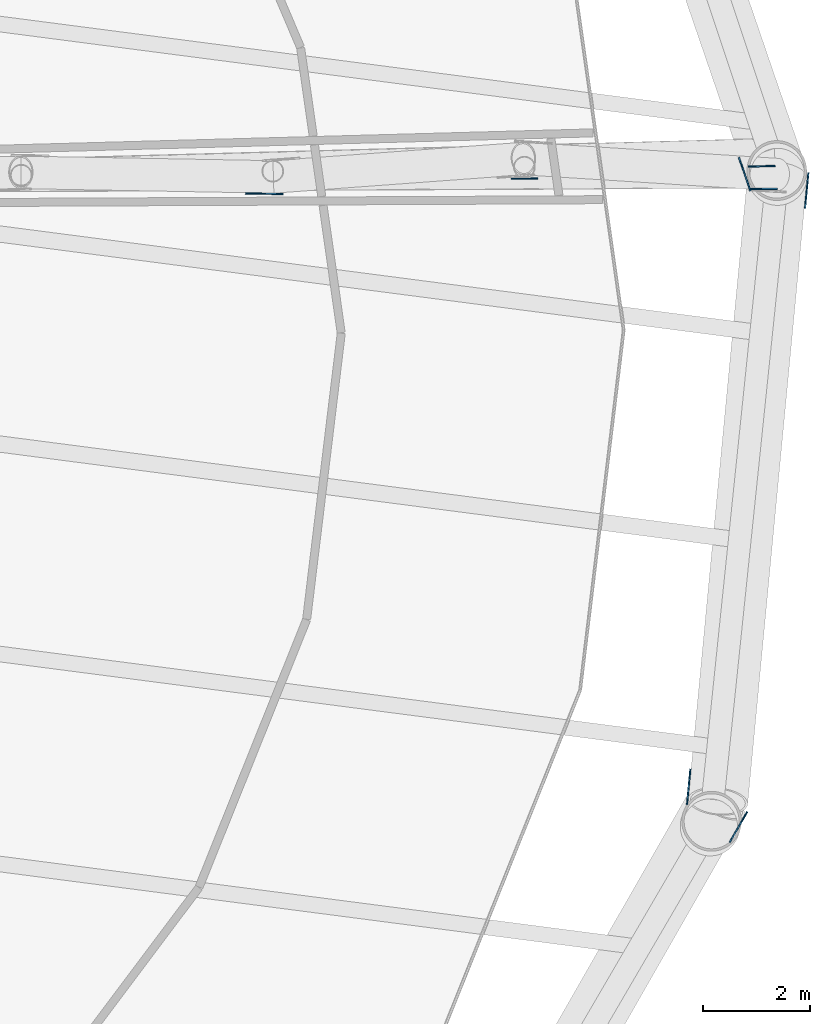
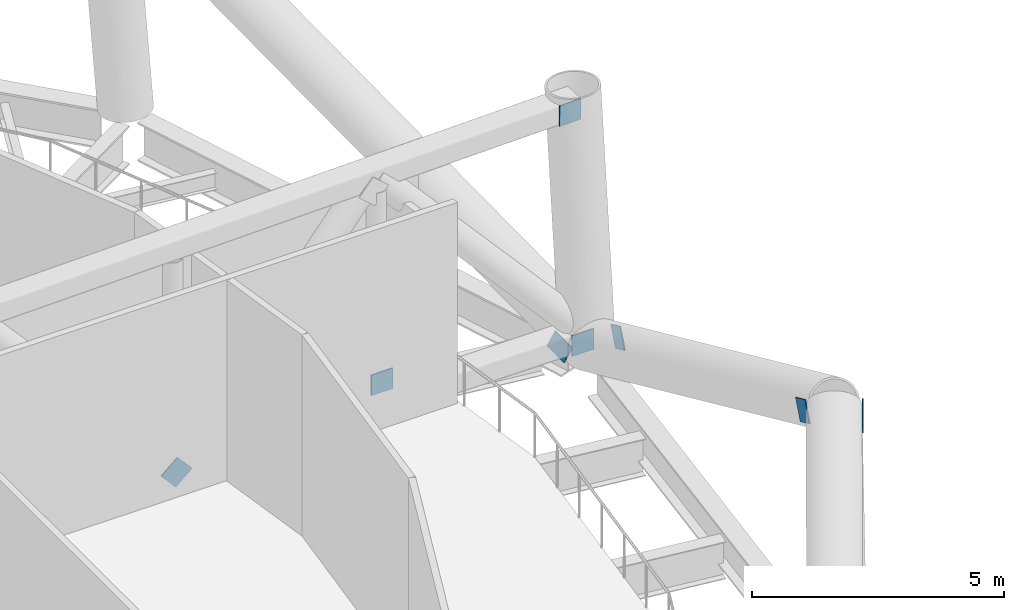
# One storey, part 24 of 36: 8 discrete accessories.
"""IFC4 building model written with IfcOpenShell, lengths in metres."""

import ifcopenshell
import ifcopenshell.guid

model = None  # the IFC model being written
_history = None  # IfcOwnerHistory: only IFC2X3 demands one
_inside = {}  # id of a spatial element -> (the spatial element, [elements in it])
_under = {}  # id of a project, library or spatial element -> (it, [spatial elements below it])
_declared = {}  # id of a project -> (the project, [libraries it declares])
_typed = {}  # id of a type object -> (the type object, [elements of that type])
_made_of = {}  # id of a material, layer set ... -> (it, [elements and type objects made of it])


def new_model(schema):
    """Start an empty IFC model of exactly this schema.

    Asked for "IFC4X3", IfcOpenShell would pick the latest addendum, in which some entities
    have other attributes; the version numbers below select the first issue.
    IFC2X3 requires an IfcOwnerHistory on every rooted entity: one is made here for all.
    """
    global model, _history
    if schema == "IFC4X3":
        model = ifcopenshell.file(schema_version=(4, 3, 0, 0))
    else:
        model = ifcopenshell.file(schema=schema)
    _inside.clear()
    _under.clear()
    _declared.clear()
    _typed.clear()
    _made_of.clear()
    _history = None
    if model.schema == "IFC2X3":
        org = make("IfcOrganization", Name="unknown")
        user = make(
            "IfcPersonAndOrganization",
            ThePerson=make("IfcPerson", FamilyName="unknown"),
            TheOrganization=org,
        )
        app = make(
            "IfcApplication",
            ApplicationDeveloper=org,
            Version="unknown",
            ApplicationFullName="unknown",
            ApplicationIdentifier="unknown",
        )
        _history = make(
            "IfcOwnerHistory",
            OwningUser=user,
            OwningApplication=app,
            ChangeAction="ADDED",
            CreationDate=0,
        )
    return model


def make(cls, **values):
    """One entity of the class cls with the attributes given. An attribute that is None is left unset."""
    return model.create_entity(
        cls, **{name: value for name, value in values.items() if value is not None}
    )


def rooted(cls, **values):
    """An entity with a GlobalId (a new one), such as an element, a storey or a relation."""
    return make(cls, GlobalId=ifcopenshell.guid.new(), OwnerHistory=_history, **values)


def si_unit(unit_type, name, prefix=None):
    """IfcSIUnit, for example si_unit("LENGTHUNIT", "METRE", prefix="MILLI")."""
    return make("IfcSIUnit", UnitType=unit_type, Prefix=prefix, Name=name)


def assignment(units):
    """IfcUnitAssignment: the units of a project."""
    return None if units is None else make("IfcUnitAssignment", Units=units)


def point(xyz):
    """IfcCartesianPoint."""
    return None if xyz is None else make("IfcCartesianPoint", Coordinates=xyz)


def direction(xyz):
    """IfcDirection."""
    return None if xyz is None else make("IfcDirection", DirectionRatios=xyz)


def frame(location, z_axis=None, x_axis=None):
    """IfcAxis2Placement3D, a coordinate frame: its origin and axes. An axis left out is left unset."""
    return make(
        "IfcAxis2Placement3D",
        Location=point(location),
        Axis=direction(z_axis),
        RefDirection=direction(x_axis),
    )


def frame_2d(location, x_axis=None):
    """IfcAxis2Placement2D, a coordinate frame in the plane: its origin and x axis."""
    return make(
        "IfcAxis2Placement2D", Location=point(location), RefDirection=direction(x_axis)
    )


def origin():
    """The frame at (0, 0, 0) with its axes left unset."""
    return frame((0.0, 0.0, 0.0))


def origin_2d():
    """The frame at (0, 0) in the plane with its x axis left unset."""
    return frame_2d((0.0, 0.0))


def place(relative_to, where):
    """IfcLocalPlacement: puts the frame where relative to a parent placement (None: the world)."""
    return make(
        "IfcLocalPlacement", PlacementRelTo=relative_to, RelativePlacement=where
    )


def context(
    kind, dimensions, precision=None, world=None, true_north=None, identifier=None
):
    """IfcGeometricRepresentationContext, for example the 3D "Model" context."""
    return make(
        "IfcGeometricRepresentationContext",
        ContextIdentifier=identifier,
        ContextType=kind,
        CoordinateSpaceDimension=dimensions,
        Precision=precision,
        WorldCoordinateSystem=world,
        TrueNorth=true_north,
    )


def subcontext(parent, identifier, kind, view, scale=None):
    """IfcGeometricRepresentationSubContext, for example "Body" below "Model"."""
    return make(
        "IfcGeometricRepresentationSubContext",
        ContextIdentifier=identifier,
        ContextType=kind,
        ParentContext=parent,
        TargetScale=scale,
        TargetView=view,
    )


def project(units=None, contexts=None):
    """IfcProject with its units and contexts."""
    return rooted(
        "IfcProject",
        Name="project",
        RepresentationContexts=contexts,
        UnitsInContext=assignment(units),
    )


def spatial(cls, under=None, at=None, **own):
    """A site, building, storey or space (cls), placed at a placement, below another one or the project."""
    s = rooted(cls, ObjectPlacement=at, **own)
    if under is not None:
        _under.setdefault(under.id(), (under, []))[1].append(s)
    return s


def profile(cls, at=None, kind="AREA", **sizes):
    """A parametric profile (cls). Its sizes go by their IFC names, for example OverallWidth=200.0."""
    return make(cls, ProfileType=kind, Position=at, **sizes)


def rectangle(**sizes):
    """IfcRectangleProfileDef."""
    return profile("IfcRectangleProfileDef", **sizes)


def extrude(swept, where, along, depth):
    """IfcExtrudedAreaSolid: the profile swept, set in the frame where, extruded along a direction by depth."""
    return make(
        "IfcExtrudedAreaSolid",
        SweptArea=swept,
        Position=where,
        ExtrudedDirection=direction(along),
        Depth=depth,
    )


def shape(context_of_items, identifier, shape_type, items):
    """IfcShapeRepresentation: the items that make up one representation, for example the "Body"."""
    return make(
        "IfcShapeRepresentation",
        ContextOfItems=context_of_items,
        RepresentationIdentifier=identifier,
        RepresentationType=shape_type,
        Items=items,
    )


def material(Name=None, Category=None):
    """IfcMaterial."""
    return make("IfcMaterial", Name=Name, Category=Category)


def material_profile(
    of_material, cross_section, Name=None, Category=None, Priority=None
):
    """IfcMaterialProfile: a cross section and its material."""
    return make(
        "IfcMaterialProfile",
        Name=Name,
        Material=of_material,
        Profile=cross_section,
        Priority=Priority,
        Category=Category,
    )


def profile_set(profiles, Name=None, composite=None):
    """IfcMaterialProfileSet."""
    return make(
        "IfcMaterialProfileSet",
        Name=Name,
        MaterialProfiles=profiles,
        CompositeProfile=composite,
    )


def made_of(thing, what):
    """Note that an element or type object is made of a material, layer set ...; save() writes the relation."""
    if what is not None:
        _made_of.setdefault(what.id(), (what, []))[1].append(thing)
    return thing


def type_object(cls, material=None, **own):
    """A type object (cls), such as IfcWallType, which elements share."""
    return made_of(rooted(cls, **own), material)


def element(
    cls,
    number,
    at=None,
    inside=None,
    cuts=None,
    type_object=None,
    material=None,
    context=None,
    identifier="Body",
    shape_type=None,
    held_by="IfcProductDefinitionShape",
    body=None,
    shapes=None,
    **own,
):
    """One element of the class cls, such as IfcWall. Its Tag is "e" and its number.

    at: its placement. inside: the storey or other place that contains it. cuts: it is an
    opening in that element (IfcRelVoidsElement). A single representation is given by context,
    identifier, shape_type and body (its items); several are given by shapes. held_by: the class
    of the entity that holds the representations. save() writes the other relations.
    """
    e = rooted(cls, Tag="e%d" % number, ObjectPlacement=at, **own)
    if body is not None:
        shapes = [shape(context, identifier, shape_type, body)]
    if shapes is not None:
        e.Representation = make(held_by, Representations=shapes)
    if inside is not None:
        _inside.setdefault(inside.id(), (inside, []))[1].append(e)
    if cuts is not None:
        rooted(
            "IfcRelVoidsElement", RelatingBuildingElement=cuts, RelatedOpeningElement=e
        )
    if type_object is not None:
        _typed.setdefault(type_object.id(), (type_object, []))[1].append(e)
    return made_of(e, material)


def aggregate(whole, parts):
    """IfcRelAggregates: a whole, such as a stair, and the parts it consists of."""
    return rooted("IfcRelAggregates", RelatingObject=whole, RelatedObjects=parts)


def save(model, path):
    """Write the relations noted so far, then the file.

    IfcRelAggregates (storeys below a building ...), IfcRelContainedInSpatialStructure (elements
    in a storey), IfcRelDefinesByType, IfcRelAssociatesMaterial and IfcRelDeclares: one each for
    every whole, place, type object, material and project.
    """
    for whole, parts in _under.values():
        aggregate(whole, parts)
    for where, things in _inside.values():
        rooted(
            "IfcRelContainedInSpatialStructure",
            RelatedElements=things,
            RelatingStructure=where,
        )
    for kind, things in _typed.values():
        rooted("IfcRelDefinesByType", RelatedObjects=things, RelatingType=kind)
    for what, things in _made_of.values():
        rooted("IfcRelAssociatesMaterial", RelatedObjects=things, RelatingMaterial=what)
    for by, libraries in _declared.values():
        rooted("IfcRelDeclares", RelatingContext=by, RelatedDefinitions=libraries)
    model.write(path)


model = new_model("IFC4")

# Units and contexts
model_context = context("Model", 3, precision=1e-05, world=origin(), true_north=direction((0.0, 1.0)))
body_context = subcontext(model_context, "Body", "Model", "MODEL_VIEW")
ifc_project = project(units=[si_unit("LENGTHUNIT", "METRE"), si_unit("AREAUNIT", "SQUARE_METRE"), si_unit("VOLUMEUNIT", "CUBIC_METRE"), si_unit("PLANEANGLEUNIT", "RADIAN"), si_unit("MASSUNIT", "GRAM", prefix="KILO")], contexts=[model_context])

# Site, building, storey
site_placement = place(None, origin())
site = spatial("IfcSite", under=ifc_project, at=site_placement, CompositionType="ELEMENT")
building_placement = place(site_placement, origin())
building = spatial("IfcBuilding", under=site, at=building_placement, Name="Tarsis Ring Headquarters", CompositionType="ELEMENT")
storey_placement = place(building_placement, frame((0.0, 0.0, 194.39990234375)))
storey = spatial("IfcBuildingStorey", under=building, at=storey_placement, Name="L45", CompositionType="ELEMENT", Elevation=194.39990234375)

# Discrete accessories
ifc_material = material(Name="Structural steel S355", Category="steel")
ifc_material_profile = material_profile(ifc_material, rectangle(XDim=0.02490234375, YDim=0.5, at=origin_2d()), Name="PL 25x500")
ifc_profile_set = profile_set([ifc_material_profile], Name="Structural steel S355")
discrete_accessory_type_1 = type_object("IfcDiscreteAccessoryType", Name="Gusset plate Belt truss 25", PredefinedType="BRACKET", material=ifc_profile_set)
for number, where, z_axis, x_axis, name in (
    (1, (28.256591796875, -8.837158203125, 6.0), (-0.449224694284, -0.785166639575, -0.426275171859), (0.867977276355, -0.496603914333, 0.0), "Gusset plate GP4"),
    (2, (29.444091796875, 3.112060546875, 0.0), (-0.084004044922, -0.886926427778, 0.454207917309), (0.995544615201, -0.094291670603, 0.0), "Gusset plate GP4"),
    (3, (27.19189453125, -8.49951171875, 6.0), (0.084452382721, 0.886994100604, -0.453992577634), (-0.99549793464, 0.094783237585, 0.0), "Gusset plate GP4"),
):
    element("IfcDiscreteAccessory", number, at=place(storey_placement, frame(where, z_axis=z_axis, x_axis=x_axis)), inside=storey, type_object=discrete_accessory_type_1, Name=name, PredefinedType="BRACKET", context=body_context, shape_type="SweptSolid", body=[
        extrude(rectangle(XDim=0.02490234375, YDim=0.5, at=origin_2d()), origin(), (0.0, 0.0, 1.0), 0.5),
    ])
discrete_accessory_1_placement = place(storey_placement, frame((28.3349609375, 2.98095703125, 0.0), z_axis=(-0.292878651196, 0.855693792579, 0.426626568576), x_axis=(-0.946116126571, -0.323827539043, 0.0)))
element("IfcDiscreteAccessory", 4, at=discrete_accessory_1_placement, inside=storey, type_object=discrete_accessory_type_1, Name="Gusset plate GP4", PredefinedType="BRACKET", context=body_context, shape_type="SweptSolid", body=[
    extrude(rectangle(XDim=0.02490234375, YDim=0.5, at=origin_2d()), origin(), (0.0, 0.0, 1.0), 0.500244140625),
])
discrete_accessory_type_2 = type_object("IfcDiscreteAccessoryType", Name="Gusset plate Outrigger 25", PredefinedType="BRACKET", material=ifc_profile_set)
discrete_accessory_2_placement = place(storey_placement, frame((19.4306640625, 2.826171875, 0.254150390625), z_axis=(-0.663560217748, 0.011718502742, 0.748031091677), x_axis=(-0.017657290912, -0.999844097886, 0.0)))
element("IfcDiscreteAccessory", 5, at=discrete_accessory_2_placement, inside=storey, type_object=discrete_accessory_type_2, Name="Gusset plate GP1", PredefinedType="BRACKET", context=body_context, shape_type="SweptSolid", body=[
    extrude(rectangle(XDim=0.02490234375, YDim=0.5, at=origin_2d()), origin(), (0.0, 0.0, 1.0), 0.5),
])
discrete_accessory_type_3 = type_object("IfcDiscreteAccessoryType", Name="Gusset plate Outrigger chord 25", PredefinedType="BRACKET", material=ifc_profile_set)
for number, where, z_axis, x_axis, name in (
    (6, (28.874267578125, 2.920166015625, 0.254150390625), (-0.999990344187, -0.004394488817, 0.0), (0.004394488817, -0.999990344187, 0.0), "Gusset plate GP3"),
    (7, (28.82958984375, 3.349853515625, 5.586181640625), (-0.999626004236, -0.02734687652, 0.0), (0.02734687652, -0.999626004236, 0.0), "Gusset plate GP3"),
    (8, (24.13671875, 3.1103515625, 0.508056640625), (0.0, 0.0, 1.0), (0.004591997484, -0.999989456724, 0.0), "Gusset plate GP3"),
):
    element("IfcDiscreteAccessory", number, at=place(storey_placement, frame(where, z_axis=z_axis, x_axis=x_axis)), inside=storey, type_object=discrete_accessory_type_3, Name=name, PredefinedType="BRACKET", context=body_context, shape_type="SweptSolid", body=[
        extrude(rectangle(XDim=0.02490234375, YDim=0.5, at=origin_2d()), origin(), (0.0, 0.0, 1.0), 0.5),
    ])

save(model, "model.ifc")
